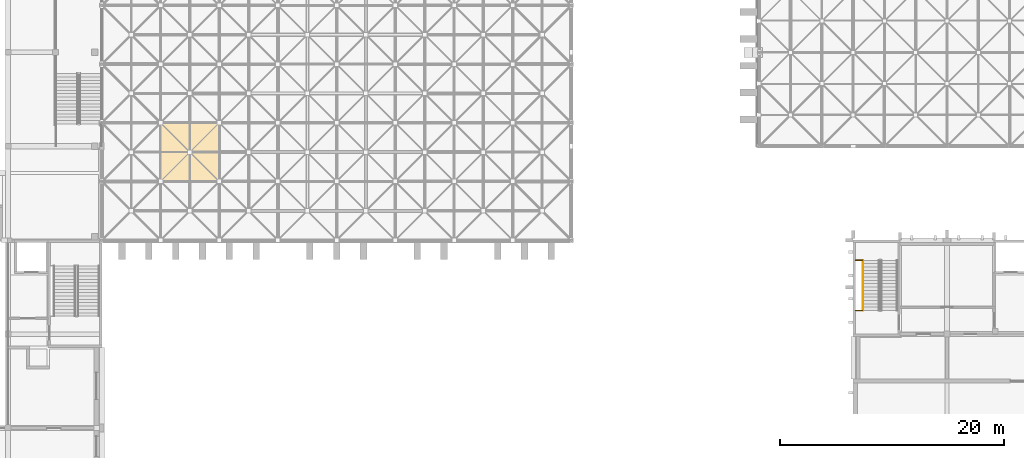
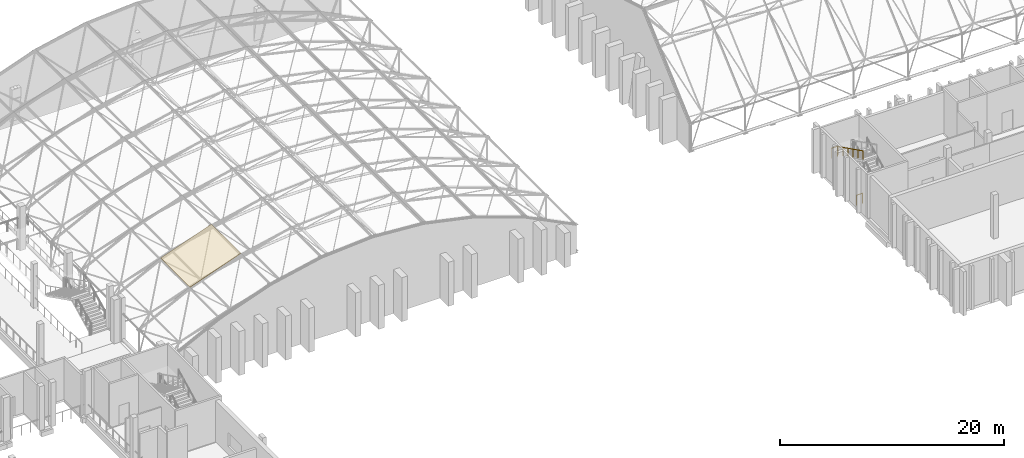
# One storey, part 94 of 100: 3 railings, 1 covering.
"""IFC4 building model written with IfcOpenShell, lengths in metres."""

from ifc_helpers import new_model, si_unit, direction, frame, origin, origin_2d, place, context, subcontext, project, spatial, polyline, circle, outline, extrude, material, layer, layer_set, type_object, element, save


model = new_model("IFC4")

# Units and contexts
model_context = context("Model", 3, precision=1e-05, world=origin(), true_north=direction((0.0, 1.0)))
body_context = subcontext(model_context, "Body", "Model", "MODEL_VIEW")
ifc_project = project(units=[si_unit("LENGTHUNIT", "METRE"), si_unit("AREAUNIT", "SQUARE_METRE"), si_unit("VOLUMEUNIT", "CUBIC_METRE"), si_unit("PLANEANGLEUNIT", "RADIAN"), si_unit("MASSUNIT", "GRAM", prefix="KILO")], contexts=[model_context])

# Site, building, storey
site_placement = place(None, origin())
site = spatial("IfcSite", under=ifc_project, at=site_placement, CompositionType="ELEMENT")
building_placement = place(site_placement, origin())
building = spatial("IfcBuilding", under=site, at=building_placement, Name="Kiln Court Media Centre", CompositionType="ELEMENT")
storey_placement = place(building_placement, frame((0.0, 0.0, 15.0)))
storey = spatial("IfcBuildingStorey", under=building, at=storey_placement, Name="L03", CompositionType="ELEMENT", Elevation=15.0)

# Covering
ifc_material_1 = material(Name="Aluminium 3004 H34", Category="aluminium")
ifc_layer = layer(ifc_material_1, 0.06005859375)
ifc_layer_set = layer_set([ifc_layer], Name="Standing-seam aluminium roof panel 60")
covering_type = type_object("IfcCoveringType", Name="Standing-seam aluminium roof panel 60", PredefinedType="ROOFING", material=ifc_layer_set)
covering_placement = place(storey_placement, frame((64.050048828125, 30.449951171875, 5.804931640625), z_axis=(-0.336336396998, 0.0, 0.941741911595), x_axis=(0.941741911595, 0.0, 0.336336396998)))
element("IfcCovering", 1, at=covering_placement, inside=storey, type_object=covering_type, Name="V1 roof panel 2.2", PredefinedType="ROOFING", context=body_context, shape_type="SweptSolid", body=[
    extrude(outline(polyline([(0.0, 0.0), (5.5747757802444395, 0.0), (5.5747757802444395, 5.25), (0.0, 5.25), (0.0, 0.0)])), origin(), (0.0, 0.0, -1.0), 0.06005859375),
])

# Railings
ifc_material_2 = material(Name="Steel S275", Category="steel")
railing_type_1 = type_object("IfcRailingType", Name="Steel S275 stair guard 1100", PredefinedType="GUARDRAIL", material=ifc_material_2)
for number, where, name in (
    (2, (126.85009765625, 23.39990234375, 2.39990234375), "ST-16 landing edge guard"),
    (3, (126.85009765625, 18.89990234375, 0.0), "ST-16 landing edge guard"),
):
    element("IfcRailing", number, at=place(storey_placement, frame(where)), inside=storey, type_object=railing_type_1, Name=name, PredefinedType="GUARDRAIL", context=body_context, shape_type="SweptSolid", body=[
        extrude(circle(Radius=0.02392578125, at=origin_2d()), frame((0.0, 0.0, 1.076171875), z_axis=(-1.0, 0.0, 0.0), x_axis=(0.0, -1.0, 0.0)), (0.0, 0.0, 1.0), 0.650146484375),
        extrude(circle(Radius=0.02099609375, at=origin_2d()), origin(), (0.0, 0.0, 1.0), 1.052001953125),
        extrude(circle(Radius=0.02099609375, at=origin_2d()), frame((-0.650146484375, 0.0, 0.0)), (0.0, 0.0, 1.0), 1.052001953125),
    ])
ifc_material_3 = material(Name="Steel S275", Category="steel")
railing_type_2 = type_object("IfcRailingType", Name="Steel S275 stair handrail 900", PredefinedType="HANDRAIL", material=ifc_material_3)
railing_placement = place(storey_placement, frame((126.89990234375, 23.39990234375, 2.550048828125)))
element("IfcRailing", 4, at=railing_placement, inside=storey, type_object=railing_type_2, Name="ST-16 stair handrail", PredefinedType="HANDRAIL", context=body_context, shape_type="SweptSolid", body=[
    extrude(circle(Radius=0.02392578125, at=origin_2d()), frame((0.0, 0.0, 0.8759765625), z_axis=(0.0, -0.894427191, 0.4472135955), x_axis=(1.0, 0.0, 0.0)), (0.0, 0.0, 1.0), 5.03125),
    extrude(circle(Radius=0.02099609375, at=origin_2d()), origin(), (0.0, 0.0, 1.0), 0.851806640625),
    extrude(circle(Radius=0.02099609375, at=origin_2d()), frame((0.0, -0.89990234375, 0.449951171875)), (0.0, 0.0, 1.0), 0.851806640625),
    extrude(circle(Radius=0.02099609375, at=origin_2d()), frame((0.0, -1.800048828125, 0.89990234375)), (0.0, 0.0, 1.0), 0.851806640625),
    extrude(circle(Radius=0.02099609375, at=origin_2d()), frame((0.0, -2.699951171875, 1.35009765625)), (0.0, 0.0, 1.0), 0.851806640625),
    extrude(circle(Radius=0.02099609375, at=origin_2d()), frame((0.0, -3.60009765625, 1.800048828125)), (0.0, 0.0, 1.0), 0.851806640625),
    extrude(circle(Radius=0.02099609375, at=origin_2d()), frame((0.0, -4.5, 2.25)), (0.0, 0.0, 1.0), 0.851806640625),
])

save(model, "model.ifc")
